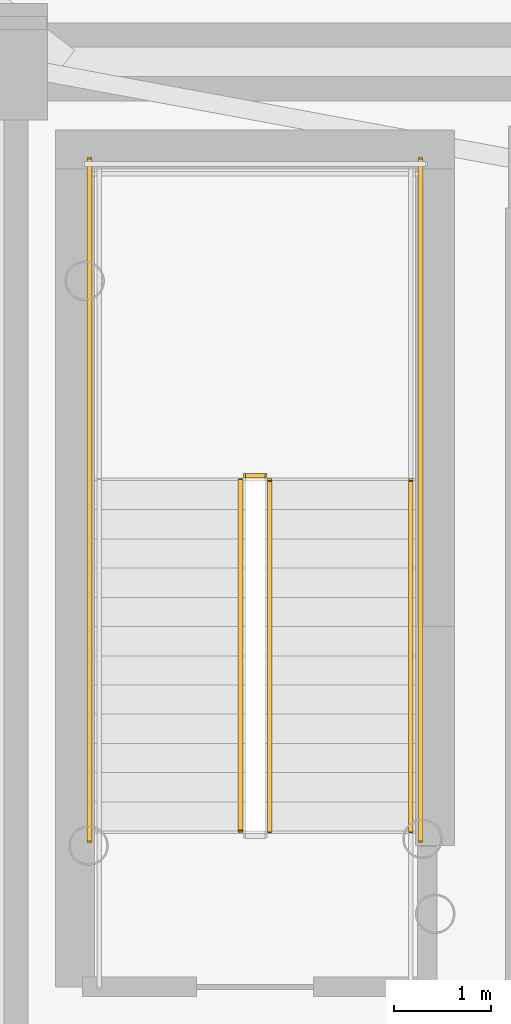
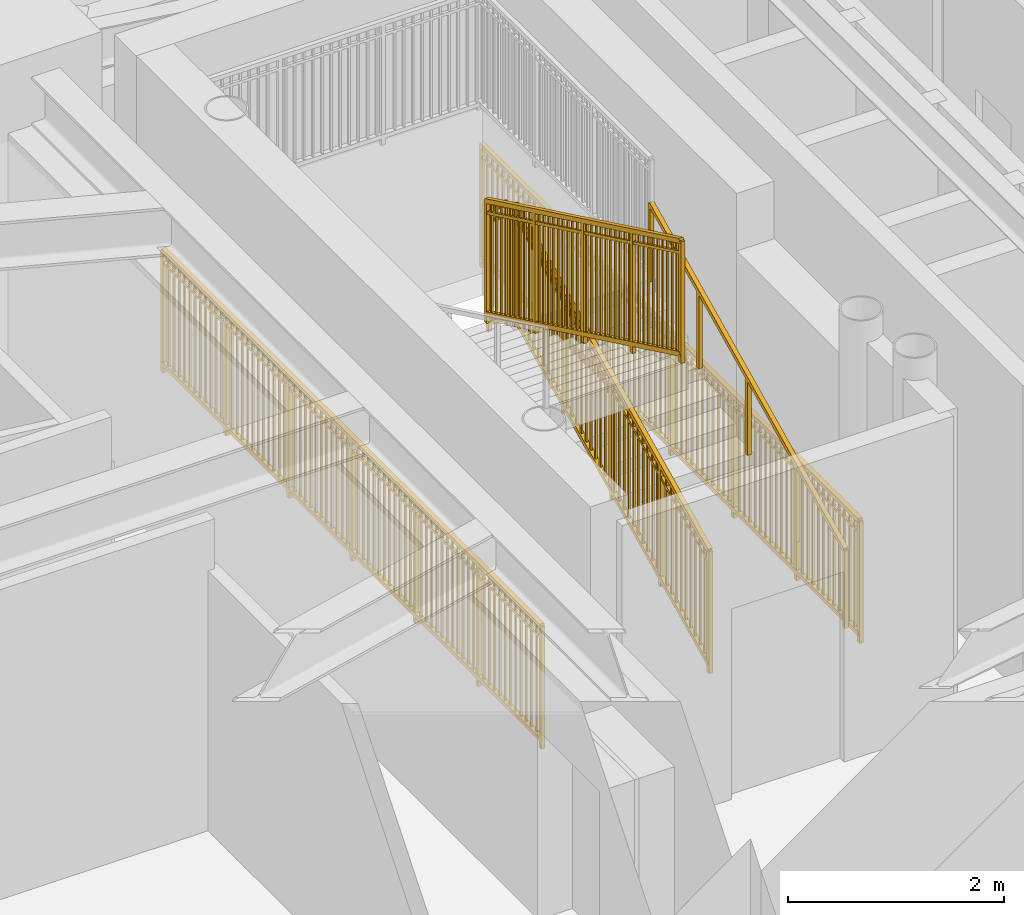
# One storey, part 14 of 18: 6 railings.
"""IFC4 building model written with IfcOpenShell, lengths in metres."""

from ifc_helpers import new_model, si_unit, direction, frame, origin, origin_2d, place, context, subcontext, project, spatial, rectangle, extrude, source, transform, mapped, material, type_object, element, save


model = new_model("IFC4")

# Units and contexts
model_context = context("Model", 3, precision=1e-05, world=origin(), true_north=direction((0.0, 1.0)))
body_context = subcontext(model_context, "Body", "Model", "MODEL_VIEW")
ifc_project = project(units=[si_unit("LENGTHUNIT", "METRE"), si_unit("AREAUNIT", "SQUARE_METRE"), si_unit("VOLUMEUNIT", "CUBIC_METRE"), si_unit("PLANEANGLEUNIT", "RADIAN"), si_unit("MASSUNIT", "GRAM", prefix="KILO")], contexts=[model_context])

# Site, building, storey
site_placement = place(None, origin())
site = spatial("IfcSite", under=ifc_project, at=site_placement, CompositionType="ELEMENT")
building_placement = place(site_placement, origin())
building = spatial("IfcBuilding", under=site, at=building_placement, Name="Linh Dai School and Residence Tower", CompositionType="ELEMENT")
storey_placement = place(building_placement, frame((0.0, 0.0, 167.39990234375)))
storey = spatial("IfcBuildingStorey", under=building, at=storey_placement, Name="L40", CompositionType="ELEMENT", Elevation=167.39990234375)

# Railings
ifc_material_1 = material(Name="Structural Steel S355JR", Category="steel")
railing_type_1 = type_object("IfcRailingType", Name="RL-ST-GUARD-1400", PredefinedType="GUARDRAIL", material=ifc_material_1)
shared_shape_1 = source(origin(), body_context, "Body", "SweptSolid", [
    extrude(rectangle(XDim=0.048095703125, YDim=0.048095703125, at=origin_2d()), frame((0.0, 0.0, 1.3759765625), z_axis=(-1.0, 0.0, 0.0), x_axis=(0.0, -1.0, 0.0)), (0.0, 0.0, 1.0), 0.199951171875),
    extrude(rectangle(XDim=0.048095703125, YDim=0.048095703125, at=origin_2d()), frame((0.0, 0.0, 0.10009765625), z_axis=(-1.0, 0.0, 0.0), x_axis=(0.0, -1.0, 0.0)), (0.0, 0.0, 1.0), 0.199951171875),
    extrude(rectangle(XDim=0.030029296875, YDim=0.030029296875, at=origin_2d()), frame((0.0, 0.0, 1.239990234375), z_axis=(-1.0, 0.0, 0.0), x_axis=(0.0, -1.0, 0.0)), (0.0, 0.0, 1.0), 0.199951171875),
    extrude(rectangle(XDim=0.0419921875, YDim=0.0419921875, at=origin_2d()), origin(), (0.0, 0.0, 1.0), 1.3759765625),
    extrude(rectangle(XDim=0.0419921875, YDim=0.0419921875, at=origin_2d()), frame((-0.199951171875, 0.0, 0.0)), (0.0, 0.0, 1.0), 1.3759765625),
])
railing_1_placement = place(storey_placement, frame((29.429931640625, 29.35009765625, 1.875)))
element("IfcRailing", 1, at=railing_1_placement, inside=storey, type_object=railing_type_1, Name="L40 ST1 stair guard 2", PredefinedType="GUARDRAIL", context=body_context, shape_type="MappedRepresentation", body=[
    mapped(shared_shape_1, transform((0.0, 0.0, 0.0), x_axis=(1.0, 0.0, 0.0), y_axis=(0.0, 1.0, 0.0), z_axis=(0.0, 0.0, 1.0), scale=1.0)),
])
shared_shape_2 = source(origin(), body_context, "Body", "SweptSolid", [
    extrude(rectangle(XDim=0.048095703125, YDim=0.048095703125, at=origin_2d()), frame((0.0, 0.0, 1.3759765625), z_axis=(0.0, 1.0, 0.0), x_axis=(-1.0, 0.0, 0.0)), (0.0, 0.0, 1.0), 7.0),
    extrude(rectangle(XDim=0.048095703125, YDim=0.048095703125, at=origin_2d()), frame((0.0, 0.0, 0.10009765625), z_axis=(0.0, 1.0, 0.0), x_axis=(-1.0, 0.0, 0.0)), (0.0, 0.0, 1.0), 7.0),
    extrude(rectangle(XDim=0.030029296875, YDim=0.030029296875, at=origin_2d()), frame((0.0, 0.0, 1.239990234375), z_axis=(0.0, 1.0, 0.0), x_axis=(-1.0, 0.0, 0.0)), (0.0, 0.0, 1.0), 7.0),
    extrude(rectangle(XDim=0.02001953125, YDim=0.02001953125, at=origin_2d()), frame((0.0, 0.09716796875, 0.10009765625)), (0.0, 0.0, 1.0), 1.251708984375),
    extrude(rectangle(XDim=0.02001953125, YDim=0.02001953125, at=origin_2d()), frame((0.0, 0.1943359375, 0.10009765625)), (0.0, 0.0, 1.0), 1.251708984375),
    extrude(rectangle(XDim=0.02001953125, YDim=0.02001953125, at=origin_2d()), frame((0.0, 0.291748046875, 0.10009765625)), (0.0, 0.0, 1.0), 1.251708984375),
    extrude(rectangle(XDim=0.02001953125, YDim=0.02001953125, at=origin_2d()), frame((0.0, 0.388916015625, 0.10009765625)), (0.0, 0.0, 1.0), 1.251708984375),
    extrude(rectangle(XDim=0.02001953125, YDim=0.02001953125, at=origin_2d()), frame((0.0, 0.486083984375, 0.10009765625)), (0.0, 0.0, 1.0), 1.251708984375),
    extrude(rectangle(XDim=0.02001953125, YDim=0.02001953125, at=origin_2d()), frame((0.0, 0.583251953125, 0.10009765625)), (0.0, 0.0, 1.0), 1.251708984375),
    extrude(rectangle(XDim=0.02001953125, YDim=0.02001953125, at=origin_2d()), frame((0.0, 0.6806640625, 0.10009765625)), (0.0, 0.0, 1.0), 1.251708984375),
    extrude(rectangle(XDim=0.02001953125, YDim=0.02001953125, at=origin_2d()), frame((0.0, 0.77783203125, 0.10009765625)), (0.0, 0.0, 1.0), 1.251708984375),
    extrude(rectangle(XDim=0.02001953125, YDim=0.02001953125, at=origin_2d()), frame((0.0, 0.875, 0.10009765625)), (0.0, 0.0, 1.0), 1.251708984375),
    extrude(rectangle(XDim=0.02001953125, YDim=0.02001953125, at=origin_2d()), frame((0.0, 0.97216796875, 0.10009765625)), (0.0, 0.0, 1.0), 1.251708984375),
    extrude(rectangle(XDim=0.02001953125, YDim=0.02001953125, at=origin_2d()), frame((0.0, 1.0693359375, 0.10009765625)), (0.0, 0.0, 1.0), 1.251708984375),
    extrude(rectangle(XDim=0.02001953125, YDim=0.02001953125, at=origin_2d()), frame((0.0, 1.263916015625, 0.10009765625)), (0.0, 0.0, 1.0), 1.251708984375),
    extrude(rectangle(XDim=0.02001953125, YDim=0.02001953125, at=origin_2d()), frame((0.0, 1.361083984375, 0.10009765625)), (0.0, 0.0, 1.0), 1.251708984375),
    extrude(rectangle(XDim=0.02001953125, YDim=0.02001953125, at=origin_2d()), frame((0.0, 1.458251953125, 0.10009765625)), (0.0, 0.0, 1.0), 1.251708984375),
    extrude(rectangle(XDim=0.02001953125, YDim=0.02001953125, at=origin_2d()), frame((0.0, 1.5556640625, 0.10009765625)), (0.0, 0.0, 1.0), 1.251708984375),
    extrude(rectangle(XDim=0.02001953125, YDim=0.02001953125, at=origin_2d()), frame((0.0, 1.65283203125, 0.10009765625)), (0.0, 0.0, 1.0), 1.251708984375),
    extrude(rectangle(XDim=0.02001953125, YDim=0.02001953125, at=origin_2d()), frame((0.0, 1.75, 0.10009765625)), (0.0, 0.0, 1.0), 1.251708984375),
    extrude(rectangle(XDim=0.02001953125, YDim=0.02001953125, at=origin_2d()), frame((0.0, 1.84716796875, 0.10009765625)), (0.0, 0.0, 1.0), 1.251708984375),
    extrude(rectangle(XDim=0.02001953125, YDim=0.02001953125, at=origin_2d()), frame((0.0, 1.9443359375, 0.10009765625)), (0.0, 0.0, 1.0), 1.251708984375),
    extrude(rectangle(XDim=0.02001953125, YDim=0.02001953125, at=origin_2d()), frame((0.0, 2.041748046875, 0.10009765625)), (0.0, 0.0, 1.0), 1.251708984375),
    extrude(rectangle(XDim=0.02001953125, YDim=0.02001953125, at=origin_2d()), frame((0.0, 2.138916015625, 0.10009765625)), (0.0, 0.0, 1.0), 1.251708984375),
    extrude(rectangle(XDim=0.02001953125, YDim=0.02001953125, at=origin_2d()), frame((0.0, 2.236083984375, 0.10009765625)), (0.0, 0.0, 1.0), 1.251708984375),
    extrude(rectangle(XDim=0.02001953125, YDim=0.02001953125, at=origin_2d()), frame((0.0, 2.4306640625, 0.10009765625)), (0.0, 0.0, 1.0), 1.251708984375),
    extrude(rectangle(XDim=0.02001953125, YDim=0.02001953125, at=origin_2d()), frame((0.0, 2.52783203125, 0.10009765625)), (0.0, 0.0, 1.0), 1.251708984375),
    extrude(rectangle(XDim=0.02001953125, YDim=0.02001953125, at=origin_2d()), frame((0.0, 2.625, 0.10009765625)), (0.0, 0.0, 1.0), 1.251708984375),
    extrude(rectangle(XDim=0.02001953125, YDim=0.02001953125, at=origin_2d()), frame((0.0, 2.72216796875, 0.10009765625)), (0.0, 0.0, 1.0), 1.251708984375),
    extrude(rectangle(XDim=0.02001953125, YDim=0.02001953125, at=origin_2d()), frame((0.0, 2.8193359375, 0.10009765625)), (0.0, 0.0, 1.0), 1.251708984375),
    extrude(rectangle(XDim=0.02001953125, YDim=0.02001953125, at=origin_2d()), frame((0.0, 2.916748046875, 0.10009765625)), (0.0, 0.0, 1.0), 1.251708984375),
    extrude(rectangle(XDim=0.02001953125, YDim=0.02001953125, at=origin_2d()), frame((0.0, 3.013916015625, 0.10009765625)), (0.0, 0.0, 1.0), 1.251708984375),
    extrude(rectangle(XDim=0.02001953125, YDim=0.02001953125, at=origin_2d()), frame((0.0, 3.111083984375, 0.10009765625)), (0.0, 0.0, 1.0), 1.251708984375),
    extrude(rectangle(XDim=0.02001953125, YDim=0.02001953125, at=origin_2d()), frame((0.0, 3.208251953125, 0.10009765625)), (0.0, 0.0, 1.0), 1.251708984375),
    extrude(rectangle(XDim=0.02001953125, YDim=0.02001953125, at=origin_2d()), frame((0.0, 3.3056640625, 0.10009765625)), (0.0, 0.0, 1.0), 1.251708984375),
    extrude(rectangle(XDim=0.02001953125, YDim=0.02001953125, at=origin_2d()), frame((0.0, 3.40283203125, 0.10009765625)), (0.0, 0.0, 1.0), 1.251708984375),
    extrude(rectangle(XDim=0.02001953125, YDim=0.02001953125, at=origin_2d()), frame((0.0, 3.59716796875, 0.10009765625)), (0.0, 0.0, 1.0), 1.251708984375),
    extrude(rectangle(XDim=0.02001953125, YDim=0.02001953125, at=origin_2d()), frame((0.0, 3.6943359375, 0.10009765625)), (0.0, 0.0, 1.0), 1.251708984375),
    extrude(rectangle(XDim=0.02001953125, YDim=0.02001953125, at=origin_2d()), frame((0.0, 3.791748046875, 0.10009765625)), (0.0, 0.0, 1.0), 1.251708984375),
    extrude(rectangle(XDim=0.02001953125, YDim=0.02001953125, at=origin_2d()), frame((0.0, 3.888916015625, 0.10009765625)), (0.0, 0.0, 1.0), 1.251708984375),
    extrude(rectangle(XDim=0.02001953125, YDim=0.02001953125, at=origin_2d()), frame((0.0, 3.986083984375, 0.10009765625)), (0.0, 0.0, 1.0), 1.251708984375),
    extrude(rectangle(XDim=0.02001953125, YDim=0.02001953125, at=origin_2d()), frame((0.0, 4.083251953125, 0.10009765625)), (0.0, 0.0, 1.0), 1.251708984375),
    extrude(rectangle(XDim=0.02001953125, YDim=0.02001953125, at=origin_2d()), frame((0.0, 4.1806640625, 0.10009765625)), (0.0, 0.0, 1.0), 1.251708984375),
    extrude(rectangle(XDim=0.02001953125, YDim=0.02001953125, at=origin_2d()), frame((0.0, 4.27783203125, 0.10009765625)), (0.0, 0.0, 1.0), 1.251708984375),
    extrude(rectangle(XDim=0.02001953125, YDim=0.02001953125, at=origin_2d()), frame((0.0, 4.375, 0.10009765625)), (0.0, 0.0, 1.0), 1.251708984375),
    extrude(rectangle(XDim=0.02001953125, YDim=0.02001953125, at=origin_2d()), frame((0.0, 4.47216796875, 0.10009765625)), (0.0, 0.0, 1.0), 1.251708984375),
    extrude(rectangle(XDim=0.02001953125, YDim=0.02001953125, at=origin_2d()), frame((0.0, 4.5693359375, 0.10009765625)), (0.0, 0.0, 1.0), 1.251708984375),
    extrude(rectangle(XDim=0.02001953125, YDim=0.02001953125, at=origin_2d()), frame((0.0, 4.763916015625, 0.10009765625)), (0.0, 0.0, 1.0), 1.251708984375),
    extrude(rectangle(XDim=0.02001953125, YDim=0.02001953125, at=origin_2d()), frame((0.0, 4.861083984375, 0.10009765625)), (0.0, 0.0, 1.0), 1.251708984375),
    extrude(rectangle(XDim=0.02001953125, YDim=0.02001953125, at=origin_2d()), frame((0.0, 4.958251953125, 0.10009765625)), (0.0, 0.0, 1.0), 1.251708984375),
    extrude(rectangle(XDim=0.02001953125, YDim=0.02001953125, at=origin_2d()), frame((0.0, 5.0556640625, 0.10009765625)), (0.0, 0.0, 1.0), 1.251708984375),
    extrude(rectangle(XDim=0.02001953125, YDim=0.02001953125, at=origin_2d()), frame((0.0, 5.15283203125, 0.10009765625)), (0.0, 0.0, 1.0), 1.251708984375),
    extrude(rectangle(XDim=0.02001953125, YDim=0.02001953125, at=origin_2d()), frame((0.0, 5.25, 0.10009765625)), (0.0, 0.0, 1.0), 1.251708984375),
    extrude(rectangle(XDim=0.02001953125, YDim=0.02001953125, at=origin_2d()), frame((0.0, 5.34716796875, 0.10009765625)), (0.0, 0.0, 1.0), 1.251708984375),
    extrude(rectangle(XDim=0.02001953125, YDim=0.02001953125, at=origin_2d()), frame((0.0, 5.4443359375, 0.10009765625)), (0.0, 0.0, 1.0), 1.251708984375),
    extrude(rectangle(XDim=0.02001953125, YDim=0.02001953125, at=origin_2d()), frame((0.0, 5.541748046875, 0.10009765625)), (0.0, 0.0, 1.0), 1.251708984375),
    extrude(rectangle(XDim=0.02001953125, YDim=0.02001953125, at=origin_2d()), frame((0.0, 5.638916015625, 0.10009765625)), (0.0, 0.0, 1.0), 1.251708984375),
    extrude(rectangle(XDim=0.02001953125, YDim=0.02001953125, at=origin_2d()), frame((0.0, 5.736083984375, 0.10009765625)), (0.0, 0.0, 1.0), 1.251708984375),
    extrude(rectangle(XDim=0.02001953125, YDim=0.02001953125, at=origin_2d()), frame((0.0, 5.9306640625, 0.10009765625)), (0.0, 0.0, 1.0), 1.251708984375),
    extrude(rectangle(XDim=0.02001953125, YDim=0.02001953125, at=origin_2d()), frame((0.0, 6.02783203125, 0.10009765625)), (0.0, 0.0, 1.0), 1.251708984375),
    extrude(rectangle(XDim=0.02001953125, YDim=0.02001953125, at=origin_2d()), frame((0.0, 6.125, 0.10009765625)), (0.0, 0.0, 1.0), 1.251708984375),
    extrude(rectangle(XDim=0.02001953125, YDim=0.02001953125, at=origin_2d()), frame((0.0, 6.22216796875, 0.10009765625)), (0.0, 0.0, 1.0), 1.251708984375),
    extrude(rectangle(XDim=0.02001953125, YDim=0.02001953125, at=origin_2d()), frame((0.0, 6.3193359375, 0.10009765625)), (0.0, 0.0, 1.0), 1.251708984375),
    extrude(rectangle(XDim=0.02001953125, YDim=0.02001953125, at=origin_2d()), frame((0.0, 6.416748046875, 0.10009765625)), (0.0, 0.0, 1.0), 1.251708984375),
    extrude(rectangle(XDim=0.02001953125, YDim=0.02001953125, at=origin_2d()), frame((0.0, 6.513916015625, 0.10009765625)), (0.0, 0.0, 1.0), 1.251708984375),
    extrude(rectangle(XDim=0.02001953125, YDim=0.02001953125, at=origin_2d()), frame((0.0, 6.611083984375, 0.10009765625)), (0.0, 0.0, 1.0), 1.251708984375),
    extrude(rectangle(XDim=0.02001953125, YDim=0.02001953125, at=origin_2d()), frame((0.0, 6.708251953125, 0.10009765625)), (0.0, 0.0, 1.0), 1.251708984375),
    extrude(rectangle(XDim=0.02001953125, YDim=0.02001953125, at=origin_2d()), frame((0.0, 6.8056640625, 0.10009765625)), (0.0, 0.0, 1.0), 1.251708984375),
    extrude(rectangle(XDim=0.02001953125, YDim=0.02001953125, at=origin_2d()), frame((0.0, 6.90283203125, 0.10009765625)), (0.0, 0.0, 1.0), 1.251708984375),
    extrude(rectangle(XDim=0.0419921875, YDim=0.0419921875, at=origin_2d()), origin(), (0.0, 0.0, 1.0), 1.3759765625),
    extrude(rectangle(XDim=0.0419921875, YDim=0.0419921875, at=origin_2d()), frame((0.0, 1.166748046875, 0.0)), (0.0, 0.0, 1.0), 1.3759765625),
    extrude(rectangle(XDim=0.0419921875, YDim=0.0419921875, at=origin_2d()), frame((0.0, 2.333251953125, 0.0)), (0.0, 0.0, 1.0), 1.3759765625),
    extrude(rectangle(XDim=0.0419921875, YDim=0.0419921875, at=origin_2d()), frame((0.0, 3.5, 0.0)), (0.0, 0.0, 1.0), 1.3759765625),
    extrude(rectangle(XDim=0.0419921875, YDim=0.0419921875, at=origin_2d()), frame((0.0, 4.666748046875, 0.0)), (0.0, 0.0, 1.0), 1.3759765625),
    extrude(rectangle(XDim=0.0419921875, YDim=0.0419921875, at=origin_2d()), frame((0.0, 5.833251953125, 0.0)), (0.0, 0.0, 1.0), 1.3759765625),
    extrude(rectangle(XDim=0.0419921875, YDim=0.0419921875, at=origin_2d()), frame((0.0, 7.0, 0.0)), (0.0, 0.0, 1.0), 1.3759765625),
])
for number, where, name in (
    (2, (31.030029296875, 25.60009765625, 0.0), "L40 ST1 stair guard 10"),
    (3, (27.6298828125, 25.60009765625, 0.0), "L40 ST1 stair guard 11"),
):
    element("IfcRailing", number, at=place(storey_placement, frame(where)), inside=storey, type_object=railing_type_1, Name=name, PredefinedType="GUARDRAIL", context=body_context, shape_type="MappedRepresentation", body=[
        mapped(shared_shape_2, transform((0.0, 0.0, 0.0), x_axis=(1.0, 0.0, 0.0), y_axis=(0.0, 1.0, 0.0), z_axis=(0.0, 0.0, 1.0), scale=1.0)),
    ])
shared_shape_3 = source(origin(), body_context, "Body", "SweptSolid", [
    extrude(rectangle(XDim=0.048095703125, YDim=0.048095703125, at=origin_2d()), frame((0.0, 0.0, 1.3759765625), z_axis=(0.0, 0.901262522062, 0.433273431364), x_axis=(-1.0, 0.0, 0.0)), (0.0, 0.0, 1.0), 3.994384765625),
    extrude(rectangle(XDim=0.048095703125, YDim=0.048095703125, at=origin_2d()), frame((0.0, 0.0, 0.10009765625), z_axis=(0.0, 0.901262522062, 0.433273431364), x_axis=(-1.0, 0.0, 0.0)), (0.0, 0.0, 1.0), 3.994384765625),
    extrude(rectangle(XDim=0.030029296875, YDim=0.030029296875, at=origin_2d()), frame((0.0, 0.0, 1.239990234375), z_axis=(0.0, 0.901262522062, 0.433273431364), x_axis=(-1.0, 0.0, 0.0)), (0.0, 0.0, 1.0), 3.994384765625),
    extrude(rectangle(XDim=0.02001953125, YDim=0.02001953125, at=origin_2d()), frame((0.0, 0.087890625, 0.142333984375)), (0.0, 0.0, 1.0), 1.251708984375),
    extrude(rectangle(XDim=0.02001953125, YDim=0.02001953125, at=origin_2d()), frame((0.0, 0.175537109375, 0.1845703125)), (0.0, 0.0, 1.0), 1.251708984375),
    extrude(rectangle(XDim=0.02001953125, YDim=0.02001953125, at=origin_2d()), frame((0.0, 0.263427734375, 0.226806640625)), (0.0, 0.0, 1.0), 1.251708984375),
    extrude(rectangle(XDim=0.02001953125, YDim=0.02001953125, at=origin_2d()), frame((0.0, 0.351318359375, 0.26904296875)), (0.0, 0.0, 1.0), 1.251708984375),
    extrude(rectangle(XDim=0.02001953125, YDim=0.02001953125, at=origin_2d()), frame((0.0, 0.43896484375, 0.311279296875)), (0.0, 0.0, 1.0), 1.251708984375),
    extrude(rectangle(XDim=0.02001953125, YDim=0.02001953125, at=origin_2d()), frame((0.0, 0.52685546875, 0.353271484375)), (0.0, 0.0, 1.0), 1.251708984375),
    extrude(rectangle(XDim=0.02001953125, YDim=0.02001953125, at=origin_2d()), frame((0.0, 0.61474609375, 0.3955078125)), (0.0, 0.0, 1.0), 1.251708984375),
    extrude(rectangle(XDim=0.02001953125, YDim=0.02001953125, at=origin_2d()), frame((0.0, 0.702392578125, 0.437744140625)), (0.0, 0.0, 1.0), 1.251708984375),
    extrude(rectangle(XDim=0.02001953125, YDim=0.02001953125, at=origin_2d()), frame((0.0, 0.790283203125, 0.47998046875)), (0.0, 0.0, 1.0), 1.251708984375),
    extrude(rectangle(XDim=0.02001953125, YDim=0.02001953125, at=origin_2d()), frame((0.0, 0.9658203125, 0.564453125)), (0.0, 0.0, 1.0), 1.251708984375),
    extrude(rectangle(XDim=0.02001953125, YDim=0.02001953125, at=origin_2d()), frame((0.0, 1.0537109375, 0.606689453125)), (0.0, 0.0, 1.0), 1.251708984375),
    extrude(rectangle(XDim=0.02001953125, YDim=0.02001953125, at=origin_2d()), frame((0.0, 1.1416015625, 0.64892578125)), (0.0, 0.0, 1.0), 1.251708984375),
    extrude(rectangle(XDim=0.02001953125, YDim=0.02001953125, at=origin_2d()), frame((0.0, 1.229248046875, 0.691162109375)), (0.0, 0.0, 1.0), 1.251708984375),
    extrude(rectangle(XDim=0.02001953125, YDim=0.02001953125, at=origin_2d()), frame((0.0, 1.317138671875, 0.7333984375)), (0.0, 0.0, 1.0), 1.251708984375),
    extrude(rectangle(XDim=0.02001953125, YDim=0.02001953125, at=origin_2d()), frame((0.0, 1.405029296875, 0.775390625)), (0.0, 0.0, 1.0), 1.251708984375),
    extrude(rectangle(XDim=0.02001953125, YDim=0.02001953125, at=origin_2d()), frame((0.0, 1.49267578125, 0.817626953125)), (0.0, 0.0, 1.0), 1.251708984375),
    extrude(rectangle(XDim=0.02001953125, YDim=0.02001953125, at=origin_2d()), frame((0.0, 1.58056640625, 0.85986328125)), (0.0, 0.0, 1.0), 1.251708984375),
    extrude(rectangle(XDim=0.02001953125, YDim=0.02001953125, at=origin_2d()), frame((0.0, 1.66845703125, 0.902099609375)), (0.0, 0.0, 1.0), 1.251708984375),
    extrude(rectangle(XDim=0.02001953125, YDim=0.02001953125, at=origin_2d()), frame((0.0, 1.756103515625, 0.9443359375)), (0.0, 0.0, 1.0), 1.251708984375),
    extrude(rectangle(XDim=0.02001953125, YDim=0.02001953125, at=origin_2d()), frame((0.0, 1.843994140625, 0.986572265625)), (0.0, 0.0, 1.0), 1.251708984375),
    extrude(rectangle(XDim=0.02001953125, YDim=0.02001953125, at=origin_2d()), frame((0.0, 1.931640625, 1.02880859375)), (0.0, 0.0, 1.0), 1.251708984375),
    extrude(rectangle(XDim=0.02001953125, YDim=0.02001953125, at=origin_2d()), frame((0.0, 2.01953125, 1.071044921875)), (0.0, 0.0, 1.0), 1.251708984375),
    extrude(rectangle(XDim=0.02001953125, YDim=0.02001953125, at=origin_2d()), frame((0.0, 2.107421875, 1.11328125)), (0.0, 0.0, 1.0), 1.251708984375),
    extrude(rectangle(XDim=0.02001953125, YDim=0.02001953125, at=origin_2d()), frame((0.0, 2.195068359375, 1.155517578125)), (0.0, 0.0, 1.0), 1.251708984375),
    extrude(rectangle(XDim=0.02001953125, YDim=0.02001953125, at=origin_2d()), frame((0.0, 2.282958984375, 1.197509765625)), (0.0, 0.0, 1.0), 1.251708984375),
    extrude(rectangle(XDim=0.02001953125, YDim=0.02001953125, at=origin_2d()), frame((0.0, 2.370849609375, 1.23974609375)), (0.0, 0.0, 1.0), 1.251708984375),
    extrude(rectangle(XDim=0.02001953125, YDim=0.02001953125, at=origin_2d()), frame((0.0, 2.45849609375, 1.281982421875)), (0.0, 0.0, 1.0), 1.251708984375),
    extrude(rectangle(XDim=0.02001953125, YDim=0.02001953125, at=origin_2d()), frame((0.0, 2.54638671875, 1.32421875)), (0.0, 0.0, 1.0), 1.251708984375),
    extrude(rectangle(XDim=0.02001953125, YDim=0.02001953125, at=origin_2d()), frame((0.0, 2.63427734375, 1.366455078125)), (0.0, 0.0, 1.0), 1.251708984375),
    extrude(rectangle(XDim=0.02001953125, YDim=0.02001953125, at=origin_2d()), frame((0.0, 2.809814453125, 1.450927734375)), (0.0, 0.0, 1.0), 1.251708984375),
    extrude(rectangle(XDim=0.02001953125, YDim=0.02001953125, at=origin_2d()), frame((0.0, 2.897705078125, 1.4931640625)), (0.0, 0.0, 1.0), 1.251708984375),
    extrude(rectangle(XDim=0.02001953125, YDim=0.02001953125, at=origin_2d()), frame((0.0, 2.9853515625, 1.535400390625)), (0.0, 0.0, 1.0), 1.251708984375),
    extrude(rectangle(XDim=0.02001953125, YDim=0.02001953125, at=origin_2d()), frame((0.0, 3.0732421875, 1.57763671875)), (0.0, 0.0, 1.0), 1.251708984375),
    extrude(rectangle(XDim=0.02001953125, YDim=0.02001953125, at=origin_2d()), frame((0.0, 3.1611328125, 1.61962890625)), (0.0, 0.0, 1.0), 1.251708984375),
    extrude(rectangle(XDim=0.02001953125, YDim=0.02001953125, at=origin_2d()), frame((0.0, 3.248779296875, 1.661865234375)), (0.0, 0.0, 1.0), 1.251708984375),
    extrude(rectangle(XDim=0.02001953125, YDim=0.02001953125, at=origin_2d()), frame((0.0, 3.336669921875, 1.7041015625)), (0.0, 0.0, 1.0), 1.251708984375),
    extrude(rectangle(XDim=0.02001953125, YDim=0.02001953125, at=origin_2d()), frame((0.0, 3.424560546875, 1.746337890625)), (0.0, 0.0, 1.0), 1.251708984375),
    extrude(rectangle(XDim=0.02001953125, YDim=0.02001953125, at=origin_2d()), frame((0.0, 3.51220703125, 1.78857421875)), (0.0, 0.0, 1.0), 1.251708984375),
    extrude(rectangle(XDim=0.0419921875, YDim=0.0419921875, at=origin_2d()), origin(), (0.0, 0.0, 1.0), 1.3759765625),
    extrude(rectangle(XDim=0.0419921875, YDim=0.0419921875, at=origin_2d()), frame((0.0, 0.89990234375, 0.4326171875)), (0.0, 0.0, 1.0), 1.3759765625),
    extrude(rectangle(XDim=0.0419921875, YDim=0.0419921875, at=origin_2d()), frame((0.0, 1.800048828125, 0.865234375)), (0.0, 0.0, 1.0), 1.3759765625),
    extrude(rectangle(XDim=0.0419921875, YDim=0.0419921875, at=origin_2d()), frame((0.0, 2.7001953125, 1.298095703125)), (0.0, 0.0, 1.0), 1.3759765625),
    extrude(rectangle(XDim=0.0419921875, YDim=0.0419921875, at=origin_2d()), frame((0.0, 3.60009765625, 1.730712890625)), (0.0, 0.0, 1.0), 1.3759765625),
])
railing_2_placement = place(storey_placement, frame((29.47998046875, 25.699951171875, 0.144287109375)))
element("IfcRailing", 4, at=railing_2_placement, inside=storey, type_object=railing_type_1, Name="L40 ST1 stair guard 1", PredefinedType="GUARDRAIL", context=body_context, shape_type="MappedRepresentation", body=[
    mapped(shared_shape_3, transform((0.0, 0.0, 0.0), x_axis=(1.0, 0.0, 0.0), y_axis=(0.0, 1.0, 0.0), z_axis=(0.0, 0.0, 1.0), scale=1.0)),
])
shared_shape_4 = source(origin(), body_context, "Body", "SweptSolid", [
    extrude(rectangle(XDim=0.048095703125, YDim=0.048095703125, at=origin_2d()), frame((0.0, 0.0, 1.3759765625), z_axis=(0.0, -0.901262522062, 0.433273431364), x_axis=(1.0, 0.0, 0.0)), (0.0, 0.0, 1.0), 3.994384765625),
    extrude(rectangle(XDim=0.048095703125, YDim=0.048095703125, at=origin_2d()), frame((0.0, 0.0, 0.10009765625), z_axis=(0.0, -0.901262522062, 0.433273431364), x_axis=(1.0, 0.0, 0.0)), (0.0, 0.0, 1.0), 3.994384765625),
    extrude(rectangle(XDim=0.030029296875, YDim=0.030029296875, at=origin_2d()), frame((0.0, 0.0, 1.239990234375), z_axis=(0.0, -0.901262522062, 0.433273431364), x_axis=(1.0, 0.0, 0.0)), (0.0, 0.0, 1.0), 3.994384765625),
    extrude(rectangle(XDim=0.02001953125, YDim=0.02001953125, at=origin_2d()), frame((0.0, -0.087890625, 0.142333984375)), (0.0, 0.0, 1.0), 1.251708984375),
    extrude(rectangle(XDim=0.02001953125, YDim=0.02001953125, at=origin_2d()), frame((0.0, -0.175537109375, 0.1845703125)), (0.0, 0.0, 1.0), 1.251708984375),
    extrude(rectangle(XDim=0.02001953125, YDim=0.02001953125, at=origin_2d()), frame((0.0, -0.263427734375, 0.226806640625)), (0.0, 0.0, 1.0), 1.251708984375),
    extrude(rectangle(XDim=0.02001953125, YDim=0.02001953125, at=origin_2d()), frame((0.0, -0.351318359375, 0.26904296875)), (0.0, 0.0, 1.0), 1.251708984375),
    extrude(rectangle(XDim=0.02001953125, YDim=0.02001953125, at=origin_2d()), frame((0.0, -0.43896484375, 0.311279296875)), (0.0, 0.0, 1.0), 1.251708984375),
    extrude(rectangle(XDim=0.02001953125, YDim=0.02001953125, at=origin_2d()), frame((0.0, -0.52685546875, 0.353271484375)), (0.0, 0.0, 1.0), 1.251708984375),
    extrude(rectangle(XDim=0.02001953125, YDim=0.02001953125, at=origin_2d()), frame((0.0, -0.61474609375, 0.3955078125)), (0.0, 0.0, 1.0), 1.251708984375),
    extrude(rectangle(XDim=0.02001953125, YDim=0.02001953125, at=origin_2d()), frame((0.0, -0.702392578125, 0.437744140625)), (0.0, 0.0, 1.0), 1.251708984375),
    extrude(rectangle(XDim=0.02001953125, YDim=0.02001953125, at=origin_2d()), frame((0.0, -0.790283203125, 0.47998046875)), (0.0, 0.0, 1.0), 1.251708984375),
    extrude(rectangle(XDim=0.02001953125, YDim=0.02001953125, at=origin_2d()), frame((0.0, -0.9658203125, 0.564453125)), (0.0, 0.0, 1.0), 1.251708984375),
    extrude(rectangle(XDim=0.02001953125, YDim=0.02001953125, at=origin_2d()), frame((0.0, -1.0537109375, 0.606689453125)), (0.0, 0.0, 1.0), 1.251708984375),
    extrude(rectangle(XDim=0.02001953125, YDim=0.02001953125, at=origin_2d()), frame((0.0, -1.1416015625, 0.64892578125)), (0.0, 0.0, 1.0), 1.251708984375),
    extrude(rectangle(XDim=0.02001953125, YDim=0.02001953125, at=origin_2d()), frame((0.0, -1.229248046875, 0.691162109375)), (0.0, 0.0, 1.0), 1.251708984375),
    extrude(rectangle(XDim=0.02001953125, YDim=0.02001953125, at=origin_2d()), frame((0.0, -1.317138671875, 0.7333984375)), (0.0, 0.0, 1.0), 1.251708984375),
    extrude(rectangle(XDim=0.02001953125, YDim=0.02001953125, at=origin_2d()), frame((0.0, -1.405029296875, 0.775390625)), (0.0, 0.0, 1.0), 1.251708984375),
    extrude(rectangle(XDim=0.02001953125, YDim=0.02001953125, at=origin_2d()), frame((0.0, -1.49267578125, 0.817626953125)), (0.0, 0.0, 1.0), 1.251708984375),
    extrude(rectangle(XDim=0.02001953125, YDim=0.02001953125, at=origin_2d()), frame((0.0, -1.58056640625, 0.85986328125)), (0.0, 0.0, 1.0), 1.251708984375),
    extrude(rectangle(XDim=0.02001953125, YDim=0.02001953125, at=origin_2d()), frame((0.0, -1.66845703125, 0.902099609375)), (0.0, 0.0, 1.0), 1.251708984375),
    extrude(rectangle(XDim=0.02001953125, YDim=0.02001953125, at=origin_2d()), frame((0.0, -1.756103515625, 0.9443359375)), (0.0, 0.0, 1.0), 1.251708984375),
    extrude(rectangle(XDim=0.02001953125, YDim=0.02001953125, at=origin_2d()), frame((0.0, -1.843994140625, 0.986572265625)), (0.0, 0.0, 1.0), 1.251708984375),
    extrude(rectangle(XDim=0.02001953125, YDim=0.02001953125, at=origin_2d()), frame((0.0, -1.931640625, 1.02880859375)), (0.0, 0.0, 1.0), 1.251708984375),
    extrude(rectangle(XDim=0.02001953125, YDim=0.02001953125, at=origin_2d()), frame((0.0, -2.01953125, 1.071044921875)), (0.0, 0.0, 1.0), 1.251708984375),
    extrude(rectangle(XDim=0.02001953125, YDim=0.02001953125, at=origin_2d()), frame((0.0, -2.107421875, 1.11328125)), (0.0, 0.0, 1.0), 1.251708984375),
    extrude(rectangle(XDim=0.02001953125, YDim=0.02001953125, at=origin_2d()), frame((0.0, -2.195068359375, 1.155517578125)), (0.0, 0.0, 1.0), 1.251708984375),
    extrude(rectangle(XDim=0.02001953125, YDim=0.02001953125, at=origin_2d()), frame((0.0, -2.282958984375, 1.197509765625)), (0.0, 0.0, 1.0), 1.251708984375),
    extrude(rectangle(XDim=0.02001953125, YDim=0.02001953125, at=origin_2d()), frame((0.0, -2.370849609375, 1.23974609375)), (0.0, 0.0, 1.0), 1.251708984375),
    extrude(rectangle(XDim=0.02001953125, YDim=0.02001953125, at=origin_2d()), frame((0.0, -2.45849609375, 1.281982421875)), (0.0, 0.0, 1.0), 1.251708984375),
    extrude(rectangle(XDim=0.02001953125, YDim=0.02001953125, at=origin_2d()), frame((0.0, -2.54638671875, 1.32421875)), (0.0, 0.0, 1.0), 1.251708984375),
    extrude(rectangle(XDim=0.02001953125, YDim=0.02001953125, at=origin_2d()), frame((0.0, -2.63427734375, 1.366455078125)), (0.0, 0.0, 1.0), 1.251708984375),
    extrude(rectangle(XDim=0.02001953125, YDim=0.02001953125, at=origin_2d()), frame((0.0, -2.809814453125, 1.450927734375)), (0.0, 0.0, 1.0), 1.251708984375),
    extrude(rectangle(XDim=0.02001953125, YDim=0.02001953125, at=origin_2d()), frame((0.0, -2.897705078125, 1.4931640625)), (0.0, 0.0, 1.0), 1.251708984375),
    extrude(rectangle(XDim=0.02001953125, YDim=0.02001953125, at=origin_2d()), frame((0.0, -2.9853515625, 1.535400390625)), (0.0, 0.0, 1.0), 1.251708984375),
    extrude(rectangle(XDim=0.02001953125, YDim=0.02001953125, at=origin_2d()), frame((0.0, -3.0732421875, 1.57763671875)), (0.0, 0.0, 1.0), 1.251708984375),
    extrude(rectangle(XDim=0.02001953125, YDim=0.02001953125, at=origin_2d()), frame((0.0, -3.1611328125, 1.61962890625)), (0.0, 0.0, 1.0), 1.251708984375),
    extrude(rectangle(XDim=0.02001953125, YDim=0.02001953125, at=origin_2d()), frame((0.0, -3.248779296875, 1.661865234375)), (0.0, 0.0, 1.0), 1.251708984375),
    extrude(rectangle(XDim=0.02001953125, YDim=0.02001953125, at=origin_2d()), frame((0.0, -3.336669921875, 1.7041015625)), (0.0, 0.0, 1.0), 1.251708984375),
    extrude(rectangle(XDim=0.02001953125, YDim=0.02001953125, at=origin_2d()), frame((0.0, -3.424560546875, 1.746337890625)), (0.0, 0.0, 1.0), 1.251708984375),
    extrude(rectangle(XDim=0.02001953125, YDim=0.02001953125, at=origin_2d()), frame((0.0, -3.51220703125, 1.78857421875)), (0.0, 0.0, 1.0), 1.251708984375),
    extrude(rectangle(XDim=0.0419921875, YDim=0.0419921875, at=origin_2d()), origin(), (0.0, 0.0, 1.0), 1.3759765625),
    extrude(rectangle(XDim=0.0419921875, YDim=0.0419921875, at=origin_2d()), frame((0.0, -0.89990234375, 0.4326171875)), (0.0, 0.0, 1.0), 1.3759765625),
    extrude(rectangle(XDim=0.0419921875, YDim=0.0419921875, at=origin_2d()), frame((0.0, -1.800048828125, 0.865234375)), (0.0, 0.0, 1.0), 1.3759765625),
    extrude(rectangle(XDim=0.0419921875, YDim=0.0419921875, at=origin_2d()), frame((0.0, -2.7001953125, 1.298095703125)), (0.0, 0.0, 1.0), 1.3759765625),
    extrude(rectangle(XDim=0.0419921875, YDim=0.0419921875, at=origin_2d()), frame((0.0, -3.60009765625, 1.730712890625)), (0.0, 0.0, 1.0), 1.3759765625),
])
railing_3_placement = place(storey_placement, frame((29.179931640625, 29.300048828125, 2.019287109375)))
element("IfcRailing", 5, at=railing_3_placement, inside=storey, type_object=railing_type_1, Name="L40 ST1 stair guard 6", PredefinedType="GUARDRAIL", context=body_context, shape_type="MappedRepresentation", body=[
    mapped(shared_shape_4, transform((0.0, 0.0, 0.0), x_axis=(1.0, 0.0, 0.0), y_axis=(0.0, 1.0, 0.0), z_axis=(0.0, 0.0, 1.0), scale=1.0)),
])
ifc_material_2 = material(Name="Brushed Stainless Steel Handrail", Category="steel")
railing_type_2 = type_object("IfcRailingType", Name="RL-ST-HANDRAIL-900", PredefinedType="HANDRAIL", material=ifc_material_2)
shared_shape_5 = source(origin(), body_context, "Body", "SweptSolid", [
    extrude(rectangle(XDim=0.048095703125, YDim=0.048095703125, at=origin_2d()), frame((0.0, 0.0, 0.8759765625), z_axis=(0.0, 0.901262522062, 0.433273431364), x_axis=(-1.0, 0.0, 0.0)), (0.0, 0.0, 1.0), 3.994384765625),
    extrude(rectangle(XDim=0.0419921875, YDim=0.0419921875, at=origin_2d()), origin(), (0.0, 0.0, 1.0), 0.8759765625),
    extrude(rectangle(XDim=0.0419921875, YDim=0.0419921875, at=origin_2d()), frame((0.0, 0.89990234375, 0.4326171875)), (0.0, 0.0, 1.0), 0.8759765625),
    extrude(rectangle(XDim=0.0419921875, YDim=0.0419921875, at=origin_2d()), frame((0.0, 1.800048828125, 0.865234375)), (0.0, 0.0, 1.0), 0.8759765625),
    extrude(rectangle(XDim=0.0419921875, YDim=0.0419921875, at=origin_2d()), frame((0.0, 2.7001953125, 1.298095703125)), (0.0, 0.0, 1.0), 0.8759765625),
    extrude(rectangle(XDim=0.0419921875, YDim=0.0419921875, at=origin_2d()), frame((0.0, 3.60009765625, 1.730712890625)), (0.0, 0.0, 1.0), 0.8759765625),
])
railing_4_placement = place(storey_placement, frame((30.929931640625, 25.699951171875, 0.144287109375)))
element("IfcRailing", 6, at=railing_4_placement, inside=storey, type_object=railing_type_2, Name="L40 ST1 stair handrail 1", PredefinedType="HANDRAIL", context=body_context, shape_type="MappedRepresentation", body=[
    mapped(shared_shape_5, transform((0.0, 0.0, 0.0), x_axis=(1.0, 0.0, 0.0), y_axis=(0.0, 1.0, 0.0), z_axis=(0.0, 0.0, 1.0), scale=1.0)),
])

save(model, "model.ifc")
